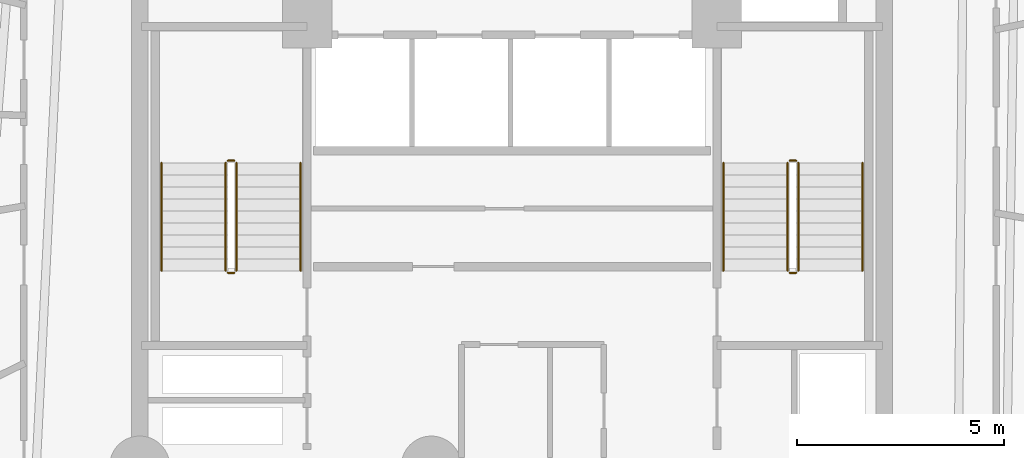
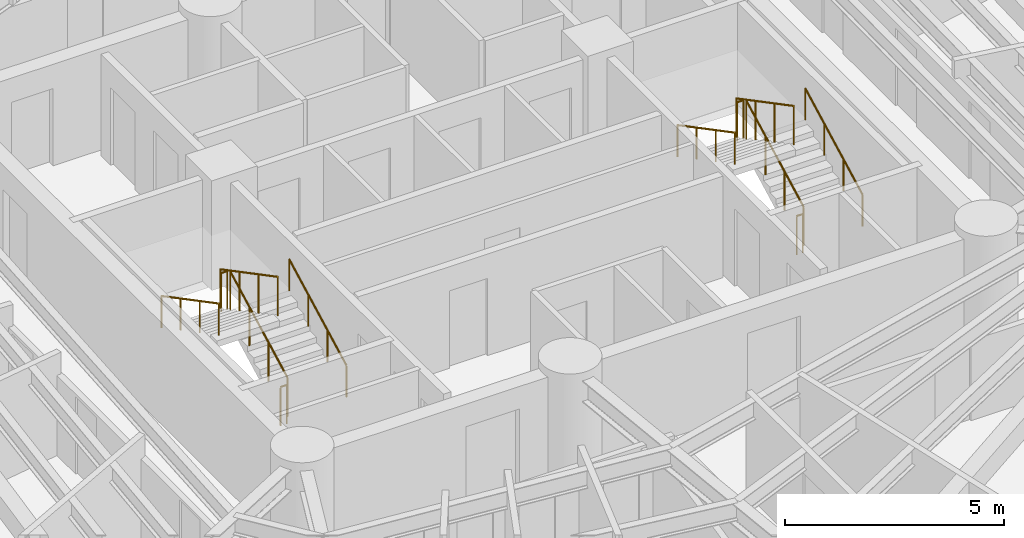
# One storey, part 7 of 7: 12 railings.
"""IFC4 building model written with IfcOpenShell, lengths in metres."""

from ifc_helpers import new_model, si_unit, direction, frame, origin, origin_2d, place, context, subcontext, project, spatial, circle, extrude, material, layer, layer_set, type_object, element, save


model = new_model("IFC4")

# Units and contexts
model_context = context("Model", 3, precision=1e-05, world=origin(), true_north=direction((0.0, 1.0)))
body_context = subcontext(model_context, "Body", "Model", "MODEL_VIEW")
ifc_project = project(units=[si_unit("LENGTHUNIT", "METRE"), si_unit("AREAUNIT", "SQUARE_METRE"), si_unit("VOLUMEUNIT", "CUBIC_METRE"), si_unit("PLANEANGLEUNIT", "RADIAN"), si_unit("MASSUNIT", "GRAM", prefix="KILO")], contexts=[model_context])

# Site, building, storey
site_placement = place(None, origin())
site = spatial("IfcSite", under=ifc_project, at=site_placement, CompositionType="ELEMENT")
building_placement = place(site_placement, origin())
building = spatial("IfcBuilding", under=site, at=building_placement, Name="Karkom Vertical University and Central Library", CompositionType="ELEMENT")
storey_placement = place(building_placement, frame((0.0, 0.0, 123.64990234375)))
storey = spatial("IfcBuildingStorey", under=building, at=storey_placement, Name="L34", CompositionType="ELEMENT", Elevation=123.64990234375)

# Railings
ifc_material_1 = material(Name="Painted galvanised steel balustrade", Category="steel")
ifc_layer_1 = layer(ifc_material_1, 0.06005859375)
ifc_layer_set_1 = layer_set([ifc_layer_1], Name="Painted galvanised steel balustrade")
railing_type_1 = type_object("IfcRailingType", Name="INT-RL-GUARD1100", PredefinedType="GUARDRAIL", material=ifc_layer_set_1)
railing_1_placement = place(storey_placement, frame((21.840087890625, 23.02001953125, 0.152587890625)))
element("IfcRailing", 1, at=railing_1_placement, inside=storey, type_object=railing_type_1, Name="Level 34 ST-1 stair guard 1", PredefinedType="GUARDRAIL", context=body_context, shape_type="SweptSolid", body=[
    extrude(circle(Radius=0.02392578125, at=origin_2d()), frame((0.0, 0.0, 1.076171875), z_axis=(0.0, 0.885065446896, 0.46546659892), x_axis=(-1.0, 0.0, 0.0)), (0.0, 0.0, 1.0), 2.94873046875),
    extrude(circle(Radius=0.02099609375, at=origin_2d()), origin(), (0.0, 0.0, 1.0), 1.052001953125),
    extrude(circle(Radius=0.02099609375, at=origin_2d()), frame((0.0, 0.869873046875, 0.45751953125)), (0.0, 0.0, 1.0), 1.052001953125),
    extrude(circle(Radius=0.02099609375, at=origin_2d()), frame((0.0, 1.739990234375, 0.9150390625)), (0.0, 0.0, 1.0), 1.052001953125),
    extrude(circle(Radius=0.02099609375, at=origin_2d()), frame((0.0, 2.60986328125, 1.37255859375)), (0.0, 0.0, 1.0), 1.052001953125),
])
railing_2_placement = place(storey_placement, frame((21.7900390625, 25.679931640625, 1.525146484375)))
element("IfcRailing", 2, at=railing_2_placement, inside=storey, type_object=railing_type_1, Name="Level 34 ST-1 stair guard 2", PredefinedType="GUARDRAIL", context=body_context, shape_type="SweptSolid", body=[
    extrude(circle(Radius=0.02392578125, at=origin_2d()), frame((0.0, 0.0, 1.076171875), z_axis=(-1.0, 0.0, 0.0), x_axis=(0.0, -1.0, 0.0)), (0.0, 0.0, 1.0), 0.16015625),
    extrude(circle(Radius=0.02099609375, at=origin_2d()), origin(), (0.0, 0.0, 1.0), 1.052001953125),
    extrude(circle(Radius=0.02099609375, at=origin_2d()), frame((-0.16015625, 0.0, 0.0)), (0.0, 0.0, 1.0), 1.052001953125),
])
railing_3_placement = place(storey_placement, frame((21.580078125, 25.6298828125, 1.677490234375)))
element("IfcRailing", 3, at=railing_3_placement, inside=storey, type_object=railing_type_1, Name="Level 34 ST-1 stair guard 3", PredefinedType="GUARDRAIL", context=body_context, shape_type="SweptSolid", body=[
    extrude(circle(Radius=0.02392578125, at=origin_2d()), frame((0.0, 0.0, 1.076171875), z_axis=(0.0, -0.885065446896, 0.46546659892), x_axis=(1.0, 0.0, 0.0)), (0.0, 0.0, 1.0), 2.94873046875),
    extrude(circle(Radius=0.02099609375, at=origin_2d()), origin(), (0.0, 0.0, 1.0), 1.052001953125),
    extrude(circle(Radius=0.02099609375, at=origin_2d()), frame((0.0, -0.869873046875, 0.45751953125)), (0.0, 0.0, 1.0), 1.052001953125),
    extrude(circle(Radius=0.02099609375, at=origin_2d()), frame((0.0, -1.739990234375, 0.9150390625)), (0.0, 0.0, 1.0), 1.052001953125),
    extrude(circle(Radius=0.02099609375, at=origin_2d()), frame((0.0, -2.60986328125, 1.37255859375)), (0.0, 0.0, 1.0), 1.052001953125),
])
railing_4_placement = place(storey_placement, frame((21.7900390625, 22.969970703125, 0.0)))
element("IfcRailing", 4, at=railing_4_placement, inside=storey, type_object=railing_type_1, Name="Level 34 ST-1 stair guard 4", PredefinedType="GUARDRAIL", context=body_context, shape_type="SweptSolid", body=[
    extrude(circle(Radius=0.02392578125, at=origin_2d()), frame((0.0, 0.0, 1.076171875), z_axis=(-1.0, 0.0, 0.0), x_axis=(0.0, -1.0, 0.0)), (0.0, 0.0, 1.0), 0.16015625),
    extrude(circle(Radius=0.02099609375, at=origin_2d()), origin(), (0.0, 0.0, 1.0), 1.052001953125),
    extrude(circle(Radius=0.02099609375, at=origin_2d()), frame((-0.16015625, 0.0, 0.0)), (0.0, 0.0, 1.0), 1.052001953125),
])
railing_5_placement = place(storey_placement, frame((35.419921875, 23.02001953125, 0.152587890625)))
element("IfcRailing", 5, at=railing_5_placement, inside=storey, type_object=railing_type_1, Name="Level 34 ST-2 stair guard 1", PredefinedType="GUARDRAIL", context=body_context, shape_type="SweptSolid", body=[
    extrude(circle(Radius=0.02392578125, at=origin_2d()), frame((0.0, 0.0, 1.076171875), z_axis=(0.0, 0.885065446896, 0.46546659892), x_axis=(-1.0, 0.0, 0.0)), (0.0, 0.0, 1.0), 2.94873046875),
    extrude(circle(Radius=0.02099609375, at=origin_2d()), origin(), (0.0, 0.0, 1.0), 1.052001953125),
    extrude(circle(Radius=0.02099609375, at=origin_2d()), frame((0.0, 0.869873046875, 0.45751953125)), (0.0, 0.0, 1.0), 1.052001953125),
    extrude(circle(Radius=0.02099609375, at=origin_2d()), frame((0.0, 1.739990234375, 0.9150390625)), (0.0, 0.0, 1.0), 1.052001953125),
    extrude(circle(Radius=0.02099609375, at=origin_2d()), frame((0.0, 2.60986328125, 1.37255859375)), (0.0, 0.0, 1.0), 1.052001953125),
])
railing_6_placement = place(storey_placement, frame((35.3701171875, 25.679931640625, 1.525146484375)))
element("IfcRailing", 6, at=railing_6_placement, inside=storey, type_object=railing_type_1, Name="Level 34 ST-2 stair guard 2", PredefinedType="GUARDRAIL", context=body_context, shape_type="SweptSolid", body=[
    extrude(circle(Radius=0.02392578125, at=origin_2d()), frame((0.0, 0.0, 1.076171875), z_axis=(-1.0, 0.0, 0.0), x_axis=(0.0, -1.0, 0.0)), (0.0, 0.0, 1.0), 0.16015625),
    extrude(circle(Radius=0.02099609375, at=origin_2d()), origin(), (0.0, 0.0, 1.0), 1.052001953125),
    extrude(circle(Radius=0.02099609375, at=origin_2d()), frame((-0.16015625, 0.0, 0.0)), (0.0, 0.0, 1.0), 1.052001953125),
])
railing_7_placement = place(storey_placement, frame((35.159912109375, 25.6298828125, 1.677490234375)))
element("IfcRailing", 7, at=railing_7_placement, inside=storey, type_object=railing_type_1, Name="Level 34 ST-2 stair guard 3", PredefinedType="GUARDRAIL", context=body_context, shape_type="SweptSolid", body=[
    extrude(circle(Radius=0.02392578125, at=origin_2d()), frame((0.0, 0.0, 1.076171875), z_axis=(0.0, -0.885065446896, 0.46546659892), x_axis=(1.0, 0.0, 0.0)), (0.0, 0.0, 1.0), 2.94873046875),
    extrude(circle(Radius=0.02099609375, at=origin_2d()), origin(), (0.0, 0.0, 1.0), 1.052001953125),
    extrude(circle(Radius=0.02099609375, at=origin_2d()), frame((0.0, -0.869873046875, 0.45751953125)), (0.0, 0.0, 1.0), 1.052001953125),
    extrude(circle(Radius=0.02099609375, at=origin_2d()), frame((0.0, -1.739990234375, 0.9150390625)), (0.0, 0.0, 1.0), 1.052001953125),
    extrude(circle(Radius=0.02099609375, at=origin_2d()), frame((0.0, -2.60986328125, 1.37255859375)), (0.0, 0.0, 1.0), 1.052001953125),
])
railing_8_placement = place(storey_placement, frame((35.3701171875, 22.969970703125, 0.0)))
element("IfcRailing", 8, at=railing_8_placement, inside=storey, type_object=railing_type_1, Name="Level 34 ST-2 stair guard 4", PredefinedType="GUARDRAIL", context=body_context, shape_type="SweptSolid", body=[
    extrude(circle(Radius=0.02392578125, at=origin_2d()), frame((0.0, 0.0, 1.076171875), z_axis=(-1.0, 0.0, 0.0), x_axis=(0.0, -1.0, 0.0)), (0.0, 0.0, 1.0), 0.16015625),
    extrude(circle(Radius=0.02099609375, at=origin_2d()), origin(), (0.0, 0.0, 1.0), 1.052001953125),
    extrude(circle(Radius=0.02099609375, at=origin_2d()), frame((-0.16015625, 0.0, 0.0)), (0.0, 0.0, 1.0), 1.052001953125),
])
ifc_material_2 = material(Name="Brushed stainless-steel tubular handrail", Category="steel")
ifc_layer_2 = layer(ifc_material_2, 0.048095703125)
ifc_layer_set_2 = layer_set([ifc_layer_2], Name="Brushed stainless-steel tubular handrail")
railing_type_2 = type_object("IfcRailingType", Name="INT-RL-HAND920", PredefinedType="HANDRAIL", material=ifc_layer_set_2)
railing_9_placement = place(storey_placement, frame((23.389892578125, 23.02001953125, 0.152587890625)))
element("IfcRailing", 9, at=railing_9_placement, inside=storey, type_object=railing_type_2, Name="Level 34 ST-1 stair handrail 1", PredefinedType="HANDRAIL", context=body_context, shape_type="SweptSolid", body=[
    extrude(circle(Radius=0.02392578125, at=origin_2d()), frame((0.0, 0.0, 0.8759765625), z_axis=(0.0, 0.885065446896, 0.46546659892), x_axis=(-1.0, 0.0, 0.0)), (0.0, 0.0, 1.0), 2.94873046875),
    extrude(circle(Radius=0.02099609375, at=origin_2d()), origin(), (0.0, 0.0, 1.0), 0.851806640625),
    extrude(circle(Radius=0.02099609375, at=origin_2d()), frame((0.0, 0.869873046875, 0.45751953125)), (0.0, 0.0, 1.0), 0.851806640625),
    extrude(circle(Radius=0.02099609375, at=origin_2d()), frame((0.0, 1.739990234375, 0.9150390625)), (0.0, 0.0, 1.0), 0.851806640625),
    extrude(circle(Radius=0.02099609375, at=origin_2d()), frame((0.0, 2.60986328125, 1.37255859375)), (0.0, 0.0, 1.0), 0.851806640625),
])
railing_10_placement = place(storey_placement, frame((20.030029296875, 25.6298828125, 1.677490234375)))
element("IfcRailing", 10, at=railing_10_placement, inside=storey, type_object=railing_type_2, Name="Level 34 ST-1 stair handrail 2", PredefinedType="HANDRAIL", context=body_context, shape_type="SweptSolid", body=[
    extrude(circle(Radius=0.02392578125, at=origin_2d()), frame((0.0, 0.0, 0.8759765625), z_axis=(0.0, -0.885065446896, 0.46546659892), x_axis=(1.0, 0.0, 0.0)), (0.0, 0.0, 1.0), 2.94873046875),
    extrude(circle(Radius=0.02099609375, at=origin_2d()), origin(), (0.0, 0.0, 1.0), 0.851806640625),
    extrude(circle(Radius=0.02099609375, at=origin_2d()), frame((0.0, -0.869873046875, 0.45751953125)), (0.0, 0.0, 1.0), 0.851806640625),
    extrude(circle(Radius=0.02099609375, at=origin_2d()), frame((0.0, -1.739990234375, 0.9150390625)), (0.0, 0.0, 1.0), 0.851806640625),
    extrude(circle(Radius=0.02099609375, at=origin_2d()), frame((0.0, -2.60986328125, 1.37255859375)), (0.0, 0.0, 1.0), 0.851806640625),
])
railing_11_placement = place(storey_placement, frame((36.969970703125, 23.02001953125, 0.152587890625)))
element("IfcRailing", 11, at=railing_11_placement, inside=storey, type_object=railing_type_2, Name="Level 34 ST-2 stair handrail 1", PredefinedType="HANDRAIL", context=body_context, shape_type="SweptSolid", body=[
    extrude(circle(Radius=0.02392578125, at=origin_2d()), frame((0.0, 0.0, 0.8759765625), z_axis=(0.0, 0.885065446896, 0.46546659892), x_axis=(-1.0, 0.0, 0.0)), (0.0, 0.0, 1.0), 2.94873046875),
    extrude(circle(Radius=0.02099609375, at=origin_2d()), origin(), (0.0, 0.0, 1.0), 0.851806640625),
    extrude(circle(Radius=0.02099609375, at=origin_2d()), frame((0.0, 0.869873046875, 0.45751953125)), (0.0, 0.0, 1.0), 0.851806640625),
    extrude(circle(Radius=0.02099609375, at=origin_2d()), frame((0.0, 1.739990234375, 0.9150390625)), (0.0, 0.0, 1.0), 0.851806640625),
    extrude(circle(Radius=0.02099609375, at=origin_2d()), frame((0.0, 2.60986328125, 1.37255859375)), (0.0, 0.0, 1.0), 0.851806640625),
])
railing_12_placement = place(storey_placement, frame((33.610107421875, 25.6298828125, 1.677490234375)))
element("IfcRailing", 12, at=railing_12_placement, inside=storey, type_object=railing_type_2, Name="Level 34 ST-2 stair handrail 2", PredefinedType="HANDRAIL", context=body_context, shape_type="SweptSolid", body=[
    extrude(circle(Radius=0.02392578125, at=origin_2d()), frame((0.0, 0.0, 0.8759765625), z_axis=(0.0, -0.885065446896, 0.46546659892), x_axis=(1.0, 0.0, 0.0)), (0.0, 0.0, 1.0), 2.94873046875),
    extrude(circle(Radius=0.02099609375, at=origin_2d()), origin(), (0.0, 0.0, 1.0), 0.851806640625),
    extrude(circle(Radius=0.02099609375, at=origin_2d()), frame((0.0, -0.869873046875, 0.45751953125)), (0.0, 0.0, 1.0), 0.851806640625),
    extrude(circle(Radius=0.02099609375, at=origin_2d()), frame((0.0, -1.739990234375, 0.9150390625)), (0.0, 0.0, 1.0), 0.851806640625),
    extrude(circle(Radius=0.02099609375, at=origin_2d()), frame((0.0, -2.60986328125, 1.37255859375)), (0.0, 0.0, 1.0), 0.851806640625),
])

save(model, "model.ifc")
